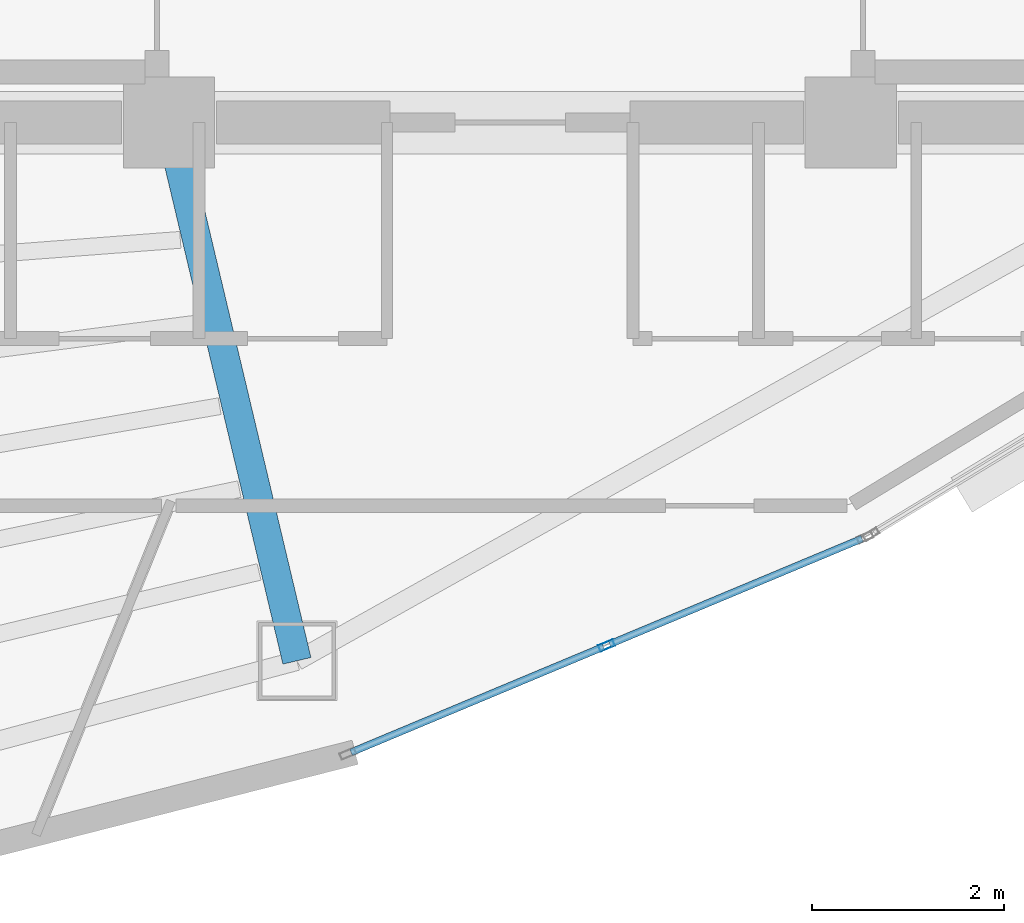
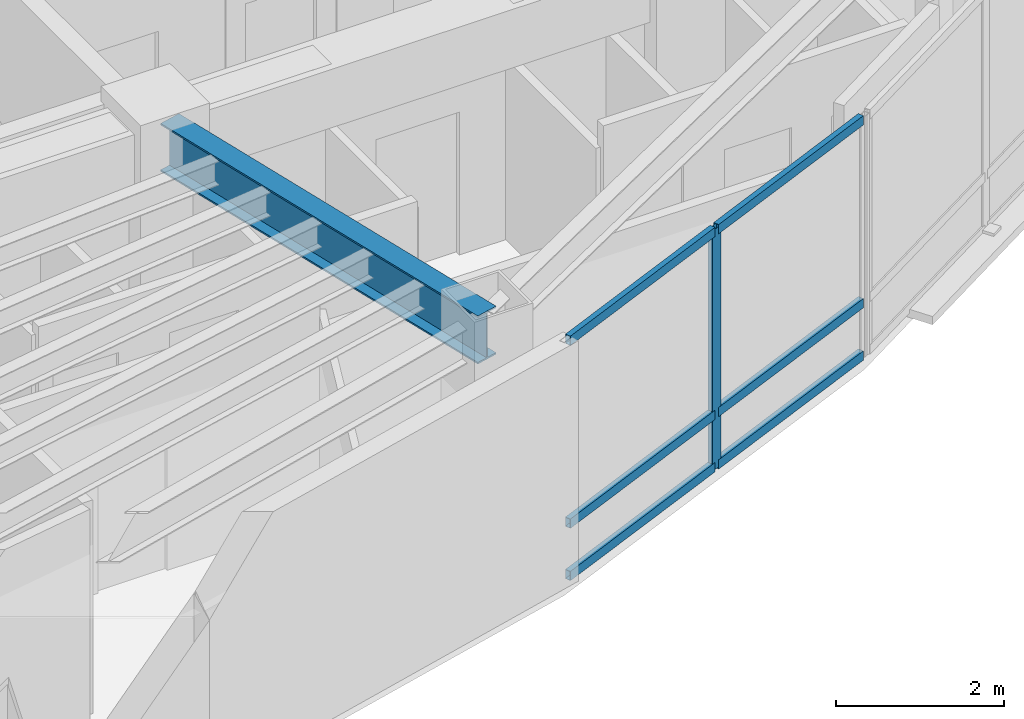
# One storey, part 3 of 15: 7 members, 1 beam, 1 element without a shape of its own.
"""IFC4 building model written with IfcOpenShell, lengths in metres."""

from ifc_helpers import new_model, si_unit, direction, frame, origin, origin_2d, place, context, subcontext, project, spatial, hollow_rectangle, i_section, extrude, material, layer, layer_set, material_profile, profile_set, type_object, element, aggregate, save


model = new_model("IFC4")

# Units and contexts
model_context = context("Model", 3, precision=1e-05, world=origin(), true_north=direction((0.0, 1.0)))
body_context = subcontext(model_context, "Body", "Model", "MODEL_VIEW")
ifc_project = project(units=[si_unit("LENGTHUNIT", "METRE"), si_unit("AREAUNIT", "SQUARE_METRE"), si_unit("VOLUMEUNIT", "CUBIC_METRE"), si_unit("PLANEANGLEUNIT", "RADIAN"), si_unit("MASSUNIT", "GRAM", prefix="KILO")], contexts=[model_context])

# Site, building, storey
site_placement = place(None, origin())
site = spatial("IfcSite", under=ifc_project, at=site_placement, CompositionType="ELEMENT")
building_placement = place(site_placement, origin())
building = spatial("IfcBuilding", under=site, at=building_placement, Name="Menara Vayukalpa", CompositionType="ELEMENT")
storey_placement = place(building_placement, frame((0.0, 0.0, 269.4599609375)))
storey = spatial("IfcBuildingStorey", under=building, at=storey_placement, Name="L68", CompositionType="ELEMENT", Elevation=269.4599609375)

# Beam
ifc_material_1 = material(Name="Steel S355", Category="steel")
ifc_material_profile_1 = material_profile(ifc_material_1, i_section(OverallWidth=0.300048828125, OverallDepth=0.699951171875, WebThickness=0.012939453125, FlangeThickness=0.02392578125, at=origin_2d()), Name="WF 700x300x13x24")
ifc_profile_set_1 = profile_set([ifc_material_profile_1], Name="Steel S355")
beam_type = type_object("IfcBeamType", Name="BM-PG5", PredefinedType="BEAM", material=ifc_profile_set_1)
beam_placement = place(storey_placement, frame((22.10791015625, 16.956787109375, 3.150146484375), z_axis=(0.231167310854, -0.972914011818, 0.0), x_axis=(0.972914011818, 0.231167310854, 0.0)))
element("IfcBeam", 1, at=beam_placement, inside=storey, type_object=beam_type, Name="L68 Primary Radial Girder RG08", PredefinedType="BEAM", context=body_context, shape_type="SweptSolid", body=[
    extrude(i_section(OverallWidth=0.300048828125, OverallDepth=0.699951171875, WebThickness=0.012939453125, FlangeThickness=0.02392578125, at=origin_2d()), origin(), (0.0, 0.0, 1.0), 5.5107421875),
])

# Curtain wall, members
ifc_material_2 = material(Name="Anodised Terracotta Aluminium Alloy 6063-T6", Category="masonry")
ifc_layer = layer(ifc_material_2, 0.1650390625)
ifc_layer_set = layer_set([ifc_layer], Name="Anodised Terracotta Aluminium Alloy 6063-T6")
curtain_wall_type = type_object("IfcCurtainWallType", Name="CW-CW6", PredefinedType="USERDEFINED", material=ifc_layer_set)
curtain_wall_placement = place(storey_placement, origin())
curtain_wall = element("IfcCurtainWall", 2, at=curtain_wall_placement, inside=storey, type_object=curtain_wall_type, Name="L68 Observation and Executive Curtain Wall CW6 16", ObjectType="UNITISED", PredefinedType="USERDEFINED")
ifc_material_3 = material(Name="Anodised Terracotta Aluminium Alloy 6063-T6", Category="masonry")
ifc_material_profile_2 = material_profile(ifc_material_3, hollow_rectangle(XDim=0.070068359375, YDim=0.1650390625, WallThickness=0.00390625, at=origin_2d()), Name="ALU 70x165x4")
ifc_profile_set_2 = profile_set([ifc_material_profile_2], Name="Anodised Terracotta Aluminium Alloy 6063-T6")
member_type_1 = type_object("IfcMemberType", Name="CWM-CW6", PredefinedType="MULLION", material=ifc_profile_set_2)
member_1_placement = place(storey_placement, frame((26.60595703125, 11.7548828125, 0.0), z_axis=(0.0, 0.0, 1.0), x_axis=(-0.385899911703, 0.922540653927, 0.0)))
member_1 = element("IfcMember", 3, at=member_1_placement, type_object=member_type_1, Name="CW6 mullion 2", PredefinedType="MULLION", context=body_context, shape_type="SweptSolid", body=[
    extrude(hollow_rectangle(XDim=0.070068359375, YDim=0.1650390625, WallThickness=0.00390625, at=origin_2d()), origin(), (0.0, 0.0, 1.0), 3.5),
])
ifc_material_4 = material(Name="Anodised Terracotta Aluminium Alloy 6063-T6", Category="masonry")
ifc_material_profile_3 = material_profile(ifc_material_4, hollow_rectangle(XDim=0.074951171875, YDim=0.135009765625, WallThickness=0.00390625, at=origin_2d()), Name="ALU 75x135x4")
ifc_profile_set_3 = profile_set([ifc_material_profile_3], Name="Anodised Terracotta Aluminium Alloy 6063-T6")
member_type_2 = type_object("IfcMemberType", Name="CWT-CW6", PredefinedType="USERDEFINED", material=ifc_profile_set_3)
member_2_placement = place(storey_placement, frame((23.945556640625, 10.64208984375, 0.03759765625), z_axis=(0.922541050276, 0.38589896418, 0.0), x_axis=(-0.38589896418, 0.922541050276, 0.0)))
member_2 = element("IfcMember", 4, at=member_2_placement, type_object=member_type_2, Name="CW6 transom 1.1", ObjectType="TRANSOM", PredefinedType="USERDEFINED", context=body_context, shape_type="SweptSolid", body=[
    extrude(hollow_rectangle(XDim=0.074951171875, YDim=0.135009765625, WallThickness=0.00390625, at=origin_2d()), origin(), (0.0, 0.0, 1.0), 2.848876953125),
])
member_3_placement = place(storey_placement, frame((23.945556640625, 10.64208984375, 0.800048828125), z_axis=(0.922541050276, 0.38589896418, 0.0), x_axis=(-0.38589896418, 0.922541050276, 0.0)))
member_3 = element("IfcMember", 5, at=member_3_placement, type_object=member_type_2, Name="CW6 transom 1.2", ObjectType="TRANSOM", PredefinedType="USERDEFINED", context=body_context, shape_type="SweptSolid", body=[
    extrude(hollow_rectangle(XDim=0.074951171875, YDim=0.135009765625, WallThickness=0.00390625, at=origin_2d()), origin(), (0.0, 0.0, 1.0), 2.848876953125),
])
member_4_placement = place(storey_placement, frame((23.945556640625, 10.64208984375, 3.462646484375), z_axis=(0.922541050276, 0.38589896418, 0.0), x_axis=(-0.38589896418, 0.922541050276, 0.0)))
member_4 = element("IfcMember", 6, at=member_4_placement, type_object=member_type_2, Name="CW6 transom 1.3", ObjectType="TRANSOM", PredefinedType="USERDEFINED", context=body_context, shape_type="SweptSolid", body=[
    extrude(hollow_rectangle(XDim=0.074951171875, YDim=0.135009765625, WallThickness=0.00390625, at=origin_2d()), origin(), (0.0, 0.0, 1.0), 2.848876953125),
])
member_5_placement = place(storey_placement, frame((26.638427734375, 11.768310546875, 0.03759765625), z_axis=(0.922528286758, 0.385929475592, 0.0), x_axis=(-0.385929475592, 0.922528286758, 0.0)))
member_5 = element("IfcMember", 7, at=member_5_placement, type_object=member_type_2, Name="CW6 transom 2.1", ObjectType="TRANSOM", PredefinedType="USERDEFINED", context=body_context, shape_type="SweptSolid", body=[
    extrude(hollow_rectangle(XDim=0.074951171875, YDim=0.135009765625, WallThickness=0.00390625, at=origin_2d()), origin(), (0.0, 0.0, 1.0), 2.8486328125),
])
member_6_placement = place(storey_placement, frame((26.638427734375, 11.768310546875, 0.800048828125), z_axis=(0.922528286758, 0.385929475592, 0.0), x_axis=(-0.385929475592, 0.922528286758, 0.0)))
member_6 = element("IfcMember", 8, at=member_6_placement, type_object=member_type_2, Name="CW6 transom 2.2", ObjectType="TRANSOM", PredefinedType="USERDEFINED", context=body_context, shape_type="SweptSolid", body=[
    extrude(hollow_rectangle(XDim=0.074951171875, YDim=0.135009765625, WallThickness=0.00390625, at=origin_2d()), origin(), (0.0, 0.0, 1.0), 2.8486328125),
])
member_7_placement = place(storey_placement, frame((26.638427734375, 11.768310546875, 3.462646484375), z_axis=(0.922528286758, 0.385929475592, 0.0), x_axis=(-0.385929475592, 0.922528286758, 0.0)))
member_7 = element("IfcMember", 9, at=member_7_placement, type_object=member_type_2, Name="CW6 transom 2.3", ObjectType="TRANSOM", PredefinedType="USERDEFINED", context=body_context, shape_type="SweptSolid", body=[
    extrude(hollow_rectangle(XDim=0.074951171875, YDim=0.135009765625, WallThickness=0.00390625, at=origin_2d()), origin(), (0.0, 0.0, 1.0), 2.8486328125),
])
aggregate(curtain_wall, [member_1, member_2, member_3, member_4, member_5, member_6, member_7])

save(model, "model.ifc")
